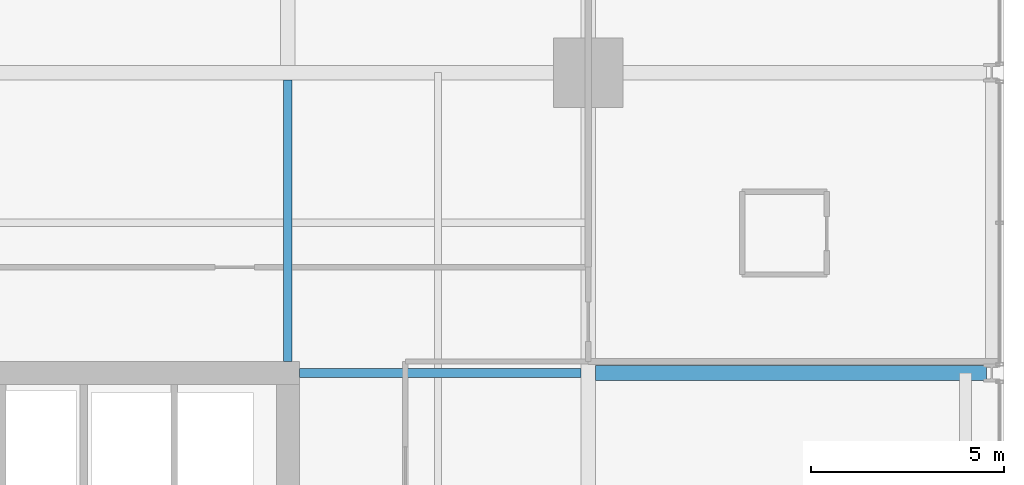
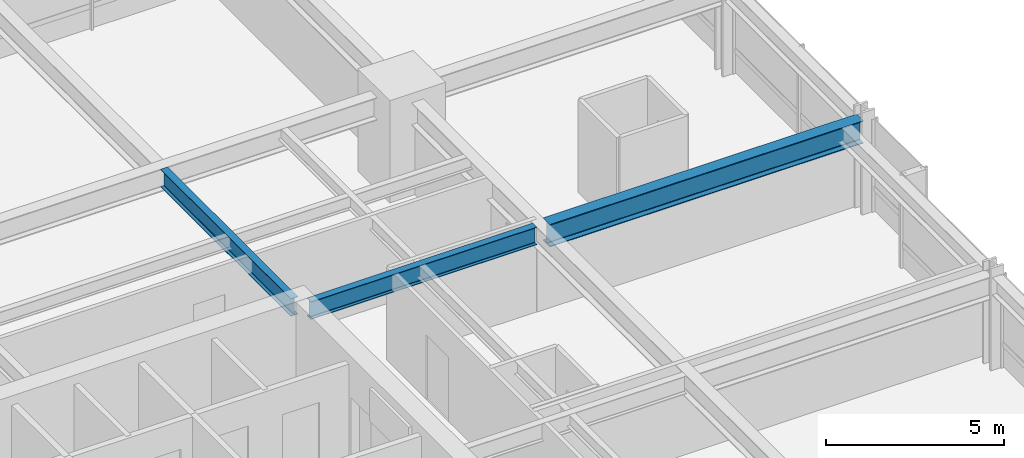
# One storey, part 24 of 37: 3 beams.
"""IFC4 building model written with IfcOpenShell, lengths in metres."""

import ifcopenshell
import ifcopenshell.guid

model = None  # the IFC model being written
_history = None  # IfcOwnerHistory: only IFC2X3 demands one
_inside = {}  # id of a spatial element -> (the spatial element, [elements in it])
_under = {}  # id of a project, library or spatial element -> (it, [spatial elements below it])
_declared = {}  # id of a project -> (the project, [libraries it declares])
_typed = {}  # id of a type object -> (the type object, [elements of that type])
_made_of = {}  # id of a material, layer set ... -> (it, [elements and type objects made of it])


def new_model(schema):
    """Start an empty IFC model of exactly this schema.

    Asked for "IFC4X3", IfcOpenShell would pick the latest addendum, in which some entities
    have other attributes; the version numbers below select the first issue.
    IFC2X3 requires an IfcOwnerHistory on every rooted entity: one is made here for all.
    """
    global model, _history
    if schema == "IFC4X3":
        model = ifcopenshell.file(schema_version=(4, 3, 0, 0))
    else:
        model = ifcopenshell.file(schema=schema)
    _inside.clear()
    _under.clear()
    _declared.clear()
    _typed.clear()
    _made_of.clear()
    _history = None
    if model.schema == "IFC2X3":
        org = make("IfcOrganization", Name="unknown")
        user = make(
            "IfcPersonAndOrganization",
            ThePerson=make("IfcPerson", FamilyName="unknown"),
            TheOrganization=org,
        )
        app = make(
            "IfcApplication",
            ApplicationDeveloper=org,
            Version="unknown",
            ApplicationFullName="unknown",
            ApplicationIdentifier="unknown",
        )
        _history = make(
            "IfcOwnerHistory",
            OwningUser=user,
            OwningApplication=app,
            ChangeAction="ADDED",
            CreationDate=0,
        )
    return model


def make(cls, **values):
    """One entity of the class cls with the attributes given. An attribute that is None is left unset."""
    return model.create_entity(
        cls, **{name: value for name, value in values.items() if value is not None}
    )


def rooted(cls, **values):
    """An entity with a GlobalId (a new one), such as an element, a storey or a relation."""
    return make(cls, GlobalId=ifcopenshell.guid.new(), OwnerHistory=_history, **values)


def si_unit(unit_type, name, prefix=None):
    """IfcSIUnit, for example si_unit("LENGTHUNIT", "METRE", prefix="MILLI")."""
    return make("IfcSIUnit", UnitType=unit_type, Prefix=prefix, Name=name)


def assignment(units):
    """IfcUnitAssignment: the units of a project."""
    return None if units is None else make("IfcUnitAssignment", Units=units)


def point(xyz):
    """IfcCartesianPoint."""
    return None if xyz is None else make("IfcCartesianPoint", Coordinates=xyz)


def direction(xyz):
    """IfcDirection."""
    return None if xyz is None else make("IfcDirection", DirectionRatios=xyz)


def frame(location, z_axis=None, x_axis=None):
    """IfcAxis2Placement3D, a coordinate frame: its origin and axes. An axis left out is left unset."""
    return make(
        "IfcAxis2Placement3D",
        Location=point(location),
        Axis=direction(z_axis),
        RefDirection=direction(x_axis),
    )


def frame_2d(location, x_axis=None):
    """IfcAxis2Placement2D, a coordinate frame in the plane: its origin and x axis."""
    return make(
        "IfcAxis2Placement2D", Location=point(location), RefDirection=direction(x_axis)
    )


def origin():
    """The frame at (0, 0, 0) with its axes left unset."""
    return frame((0.0, 0.0, 0.0))


def origin_2d():
    """The frame at (0, 0) in the plane with its x axis left unset."""
    return frame_2d((0.0, 0.0))


def place(relative_to, where):
    """IfcLocalPlacement: puts the frame where relative to a parent placement (None: the world)."""
    return make(
        "IfcLocalPlacement", PlacementRelTo=relative_to, RelativePlacement=where
    )


def context(
    kind, dimensions, precision=None, world=None, true_north=None, identifier=None
):
    """IfcGeometricRepresentationContext, for example the 3D "Model" context."""
    return make(
        "IfcGeometricRepresentationContext",
        ContextIdentifier=identifier,
        ContextType=kind,
        CoordinateSpaceDimension=dimensions,
        Precision=precision,
        WorldCoordinateSystem=world,
        TrueNorth=true_north,
    )


def subcontext(parent, identifier, kind, view, scale=None):
    """IfcGeometricRepresentationSubContext, for example "Body" below "Model"."""
    return make(
        "IfcGeometricRepresentationSubContext",
        ContextIdentifier=identifier,
        ContextType=kind,
        ParentContext=parent,
        TargetScale=scale,
        TargetView=view,
    )


def project(units=None, contexts=None):
    """IfcProject with its units and contexts."""
    return rooted(
        "IfcProject",
        Name="project",
        RepresentationContexts=contexts,
        UnitsInContext=assignment(units),
    )


def spatial(cls, under=None, at=None, **own):
    """A site, building, storey or space (cls), placed at a placement, below another one or the project."""
    s = rooted(cls, ObjectPlacement=at, **own)
    if under is not None:
        _under.setdefault(under.id(), (under, []))[1].append(s)
    return s


def profile(cls, at=None, kind="AREA", **sizes):
    """A parametric profile (cls). Its sizes go by their IFC names, for example OverallWidth=200.0."""
    return make(cls, ProfileType=kind, Position=at, **sizes)


def i_section(**sizes):
    """IfcIShapeProfileDef."""
    return profile("IfcIShapeProfileDef", **sizes)


def extrude(swept, where, along, depth):
    """IfcExtrudedAreaSolid: the profile swept, set in the frame where, extruded along a direction by depth."""
    return make(
        "IfcExtrudedAreaSolid",
        SweptArea=swept,
        Position=where,
        ExtrudedDirection=direction(along),
        Depth=depth,
    )


def shape(context_of_items, identifier, shape_type, items):
    """IfcShapeRepresentation: the items that make up one representation, for example the "Body"."""
    return make(
        "IfcShapeRepresentation",
        ContextOfItems=context_of_items,
        RepresentationIdentifier=identifier,
        RepresentationType=shape_type,
        Items=items,
    )


def material(Name=None, Category=None):
    """IfcMaterial."""
    return make("IfcMaterial", Name=Name, Category=Category)


def material_profile(
    of_material, cross_section, Name=None, Category=None, Priority=None
):
    """IfcMaterialProfile: a cross section and its material."""
    return make(
        "IfcMaterialProfile",
        Name=Name,
        Material=of_material,
        Profile=cross_section,
        Priority=Priority,
        Category=Category,
    )


def profile_set(profiles, Name=None, composite=None):
    """IfcMaterialProfileSet."""
    return make(
        "IfcMaterialProfileSet",
        Name=Name,
        MaterialProfiles=profiles,
        CompositeProfile=composite,
    )


def made_of(thing, what):
    """Note that an element or type object is made of a material, layer set ...; save() writes the relation."""
    if what is not None:
        _made_of.setdefault(what.id(), (what, []))[1].append(thing)
    return thing


def type_object(cls, material=None, **own):
    """A type object (cls), such as IfcWallType, which elements share."""
    return made_of(rooted(cls, **own), material)


def element(
    cls,
    number,
    at=None,
    inside=None,
    cuts=None,
    type_object=None,
    material=None,
    context=None,
    identifier="Body",
    shape_type=None,
    held_by="IfcProductDefinitionShape",
    body=None,
    shapes=None,
    **own,
):
    """One element of the class cls, such as IfcWall. Its Tag is "e" and its number.

    at: its placement. inside: the storey or other place that contains it. cuts: it is an
    opening in that element (IfcRelVoidsElement). A single representation is given by context,
    identifier, shape_type and body (its items); several are given by shapes. held_by: the class
    of the entity that holds the representations. save() writes the other relations.
    """
    e = rooted(cls, Tag="e%d" % number, ObjectPlacement=at, **own)
    if body is not None:
        shapes = [shape(context, identifier, shape_type, body)]
    if shapes is not None:
        e.Representation = make(held_by, Representations=shapes)
    if inside is not None:
        _inside.setdefault(inside.id(), (inside, []))[1].append(e)
    if cuts is not None:
        rooted(
            "IfcRelVoidsElement", RelatingBuildingElement=cuts, RelatedOpeningElement=e
        )
    if type_object is not None:
        _typed.setdefault(type_object.id(), (type_object, []))[1].append(e)
    return made_of(e, material)


def aggregate(whole, parts):
    """IfcRelAggregates: a whole, such as a stair, and the parts it consists of."""
    return rooted("IfcRelAggregates", RelatingObject=whole, RelatedObjects=parts)


def save(model, path):
    """Write the relations noted so far, then the file.

    IfcRelAggregates (storeys below a building ...), IfcRelContainedInSpatialStructure (elements
    in a storey), IfcRelDefinesByType, IfcRelAssociatesMaterial and IfcRelDeclares: one each for
    every whole, place, type object, material and project.
    """
    for whole, parts in _under.values():
        aggregate(whole, parts)
    for where, things in _inside.values():
        rooted(
            "IfcRelContainedInSpatialStructure",
            RelatedElements=things,
            RelatingStructure=where,
        )
    for kind, things in _typed.values():
        rooted("IfcRelDefinesByType", RelatedObjects=things, RelatingType=kind)
    for what, things in _made_of.values():
        rooted("IfcRelAssociatesMaterial", RelatedObjects=things, RelatingMaterial=what)
    for by, libraries in _declared.values():
        rooted("IfcRelDeclares", RelatingContext=by, RelatedDefinitions=libraries)
    model.write(path)


model = new_model("IFC4")

# Units and contexts
model_context = context("Model", 3, precision=1e-05, world=origin(), true_north=direction((0.0, 1.0)))
body_context = subcontext(model_context, "Body", "Model", "MODEL_VIEW")
ifc_project = project(units=[si_unit("LENGTHUNIT", "METRE"), si_unit("AREAUNIT", "SQUARE_METRE"), si_unit("VOLUMEUNIT", "CUBIC_METRE"), si_unit("PLANEANGLEUNIT", "RADIAN"), si_unit("MASSUNIT", "GRAM", prefix="KILO")], contexts=[model_context])

# Site, building, storey
site_placement = place(None, origin())
site = spatial("IfcSite", under=ifc_project, at=site_placement, CompositionType="ELEMENT")
building_placement = place(site_placement, origin())
building = spatial("IfcBuilding", under=site, at=building_placement, Name="Drelvath Grand Hotel", CompositionType="ELEMENT")
storey_placement = place(building_placement, frame((0.0, 0.0, 78.699951171875)))
storey = spatial("IfcBuildingStorey", under=building, at=storey_placement, Name="L19", CompositionType="ELEMENT", Elevation=78.699951171875)

# Beams
ifc_material = material(Name="Steel ASTM A992 Gr 50", Category="steel")
ifc_material_profile_1 = material_profile(ifc_material, i_section(OverallWidth=0.228271484375, OverallDepth=0.607666015625, WebThickness=0.01123046875, FlangeThickness=0.017333984375, FilletRadius=0.02001953125, at=origin_2d()), Name="W24X76")
ifc_profile_set_1 = profile_set([ifc_material_profile_1], Name="Steel ASTM A992 Gr 50")
beam_type_1 = type_object("IfcBeamType", Name="Primary Floor Girder W24X76", PredefinedType="BEAM", material=ifc_profile_set_1)
for number, where, z_axis, x_axis, name in (
    (1, (8.699951171875, 35.39990234375, 2.876220703125), (1.0, 0.0, 0.0), (0.0, 1.0, 0.0), "L19 East Core Tie F"),
    (2, (8.39990234375, 35.699951171875, 2.876220703125), (0.0, 1.0, 0.0), (-1.0, 0.0, 0.0), "L19 North Core Tie 6"),
):
    element("IfcBeam", number, at=place(storey_placement, frame(where, z_axis=z_axis, x_axis=x_axis)), inside=storey, type_object=beam_type_1, Name=name, PredefinedType="BEAM", context=body_context, shape_type="SweptSolid", body=[
        extrude(i_section(OverallWidth=0.228271484375, OverallDepth=0.607666015625, WebThickness=0.01123046875, FlangeThickness=0.017333984375, FilletRadius=0.02001953125, at=origin_2d()), origin(), (0.0, 0.0, 1.0), 7.309814453125),
    ])
ifc_material_profile_2 = material_profile(ifc_material, i_section(OverallWidth=0.380615234375, OverallDepth=0.773193359375, WebThickness=0.0166015625, FlangeThickness=0.027099609375, FilletRadius=0.02490234375, at=origin_2d()), Name="W30X173")
ifc_profile_set_2 = profile_set([ifc_material_profile_2], Name="Steel ASTM A992 Gr 50")
beam_type_2 = type_object("IfcBeamType", Name="Primary Floor Girder W30X173", PredefinedType="BEAM", material=ifc_profile_set_2)
beam_placement = place(storey_placement, frame((16.390380859375, 35.39990234375, 2.79345703125), z_axis=(1.0, 0.0, 0.0), x_axis=(0.0, 1.0, 0.0)))
element("IfcBeam", 3, at=beam_placement, inside=storey, type_object=beam_type_2, Name="L19 East Wing Girder F", PredefinedType="BEAM", context=body_context, shape_type="SweptSolid", body=[
    extrude(i_section(OverallWidth=0.380615234375, OverallDepth=0.773193359375, WebThickness=0.0166015625, FlangeThickness=0.027099609375, FilletRadius=0.02490234375, at=origin_2d()), origin(), (0.0, 0.0, 1.0), 10.149658203125),
])

save(model, "model.ifc")
